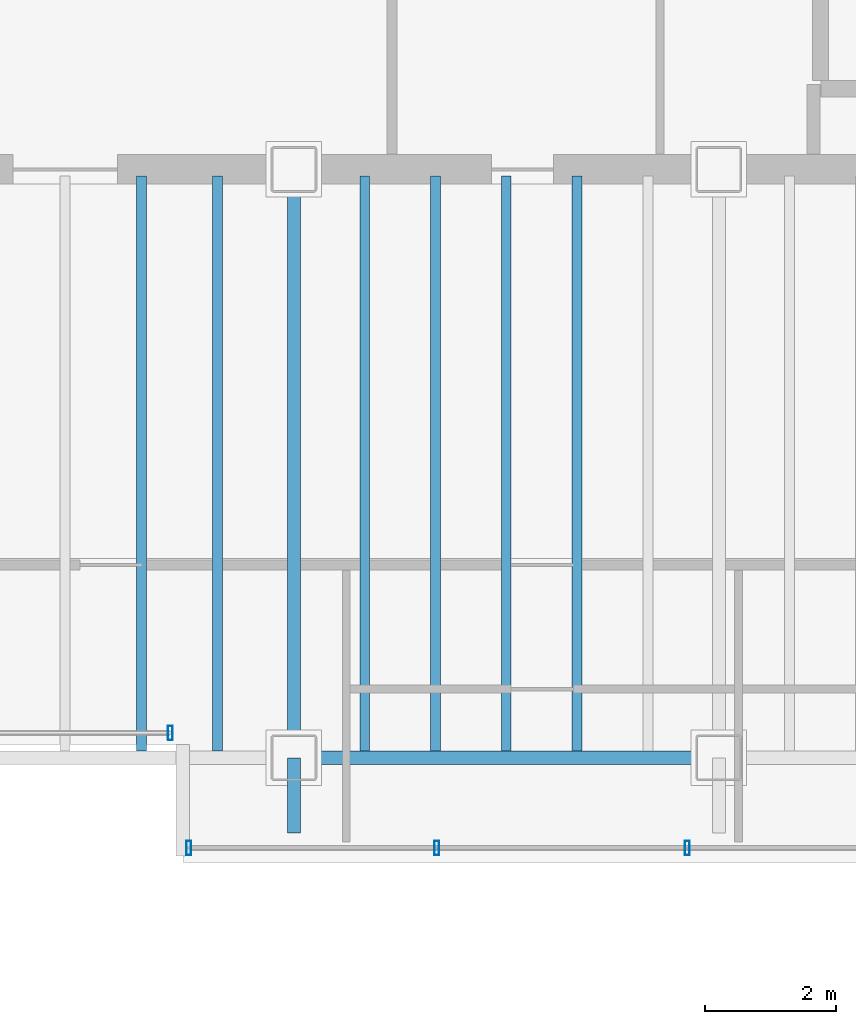
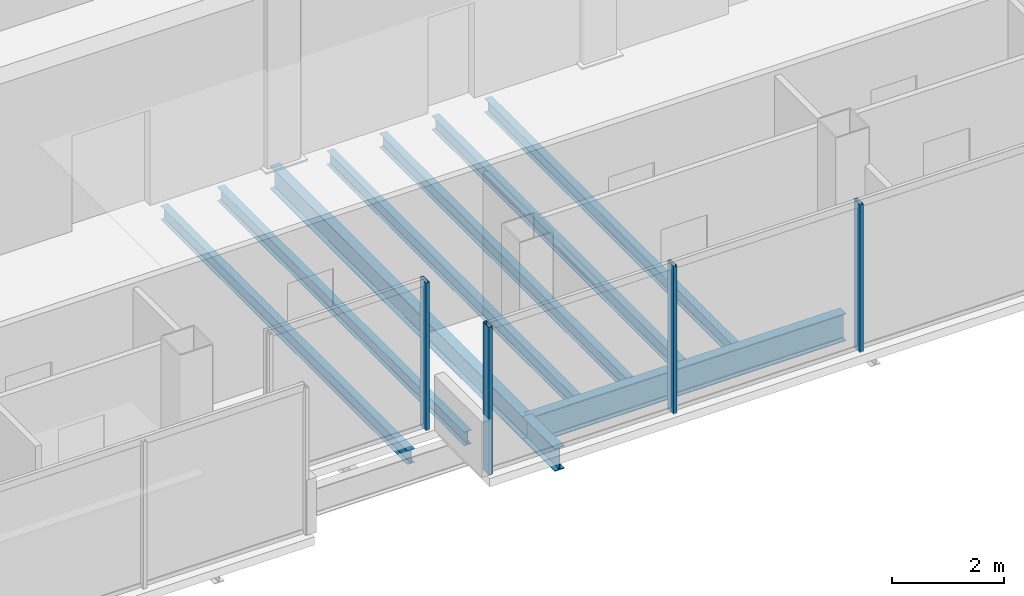
# One storey, part 6 of 17: 9 beams, 4 members, 2 elements without a shape of their own.
"""IFC4 building model written with IfcOpenShell, lengths in metres."""

from ifc_helpers import new_model, si_unit, direction, frame, origin, origin_2d, place, context, subcontext, project, spatial, hollow_rectangle, i_section, extrude, material, material_profile, profile_set, type_object, element, aggregate, save


model = new_model("IFC4")

# Units and contexts
model_context = context("Model", 3, precision=1e-05, world=origin(), true_north=direction((0.0, 1.0)))
body_context = subcontext(model_context, "Body", "Model", "MODEL_VIEW")
ifc_project = project(units=[si_unit("LENGTHUNIT", "METRE"), si_unit("AREAUNIT", "SQUARE_METRE"), si_unit("VOLUMEUNIT", "CUBIC_METRE"), si_unit("PLANEANGLEUNIT", "RADIAN"), si_unit("MASSUNIT", "GRAM", prefix="KILO")], contexts=[model_context])

# Site, building, storey
site_placement = place(None, origin())
site = spatial("IfcSite", under=ifc_project, at=site_placement, CompositionType="ELEMENT")
building_placement = place(site_placement, origin())
building = spatial("IfcBuilding", under=site, at=building_placement, Name="Noeulbin Bourse Tower", CompositionType="ELEMENT")
storey_placement = place(building_placement, frame((0.0, 0.0, 296.89990234375)))
storey = spatial("IfcBuildingStorey", under=building, at=storey_placement, Name="L74", CompositionType="ELEMENT", Elevation=296.89990234375)

# Beams
ifc_material_1 = material(Name="Steel S355", Category="steel")
ifc_material_profile_1 = material_profile(ifc_material_1, i_section(OverallWidth=0.199951171875, OverallDepth=0.5, WebThickness=0.010009765625, FlangeThickness=0.01611328125, FilletRadius=0.02001953125, at=origin_2d()), Name="H-500x200x10x16", Category="LoadBearing")
ifc_profile_set_1 = profile_set([ifc_material_profile_1], Name="Steel S355")
beam_type_1 = type_object("IfcBeamType", Name="BM-GRD-500", PredefinedType="USERDEFINED", material=ifc_profile_set_1)
beam_1_placement = place(storey_placement, frame((31.0, 18.85009765625, -0.429931640625), z_axis=(0.0, 1.0, 0.0), x_axis=(-1.0, 0.0, 0.0)))
element("IfcBeam", 1, at=beam_1_placement, inside=storey, type_object=beam_type_1, Name="Tower Primary Girder NS L74-3.1", ObjectType="GIRDER", PredefinedType="USERDEFINED", context=body_context, shape_type="SweptSolid", body=[
    extrude(i_section(OverallWidth=0.199951171875, OverallDepth=0.5, WebThickness=0.010009765625, FlangeThickness=0.01611328125, FilletRadius=0.02001953125, at=origin_2d()), origin(), (0.0, 0.0, 1.0), 1.14990234375),
])
beam_2_placement = place(storey_placement, frame((31.0, 20.0, -0.429931640625), z_axis=(0.0, 1.0, 0.0), x_axis=(-1.0, 0.0, 0.0)))
element("IfcBeam", 2, at=beam_2_placement, inside=storey, type_object=beam_type_1, Name="Tower Primary Girder NS L74-3.2", ObjectType="GIRDER", PredefinedType="USERDEFINED", context=body_context, shape_type="SweptSolid", body=[
    extrude(i_section(OverallWidth=0.199951171875, OverallDepth=0.5, WebThickness=0.010009765625, FlangeThickness=0.01611328125, FilletRadius=0.02001953125, at=origin_2d()), origin(), (0.0, 0.0, 1.0), 9.0),
])
ifc_material_profile_2 = material_profile(ifc_material_1, i_section(OverallWidth=0.199951171875, OverallDepth=0.60009765625, WebThickness=0.010986328125, FlangeThickness=0.01708984375, FilletRadius=0.02197265625, at=origin_2d()), Name="H-600x200x11x17", Category="LoadBearing")
ifc_profile_set_2 = profile_set([ifc_material_profile_2], Name="Steel S355")
beam_type_2 = type_object("IfcBeamType", Name="BM-GRD-600", PredefinedType="USERDEFINED", material=ifc_profile_set_2)
beam_3_placement = place(storey_placement, frame((31.0, 20.0, -0.47998046875), z_axis=(1.0, 0.0, 0.0), x_axis=(0.0, 1.0, 0.0)))
element("IfcBeam", 3, at=beam_3_placement, inside=storey, type_object=beam_type_2, Name="Tower Primary Girder EW L74-1.2", ObjectType="GIRDER", PredefinedType="USERDEFINED", context=body_context, shape_type="SweptSolid", body=[
    extrude(i_section(OverallWidth=0.199951171875, OverallDepth=0.60009765625, WebThickness=0.010986328125, FlangeThickness=0.01708984375, FilletRadius=0.02197265625, at=origin_2d()), origin(), (0.0, 0.0, 1.0), 6.5),
])
ifc_material_profile_3 = material_profile(ifc_material_1, i_section(OverallWidth=0.14990234375, OverallDepth=0.300048828125, WebThickness=0.006591796875, FlangeThickness=0.009033203125, FilletRadius=0.012939453125, at=origin_2d()), Name="H-300x150x6.5x9", Category="LoadBearing")
ifc_profile_set_3 = profile_set([ifc_material_profile_3], Name="Steel S355")
beam_type_3 = type_object("IfcBeamType", Name="BM-JST-300", PredefinedType="JOIST", material=ifc_profile_set_3)
for number, where, z_axis, x_axis, name in (
    (4, (28.666748046875, 20.10009765625, -0.329833984375), (0.0, 1.0, 0.0), (-1.0, 0.0, 0.0), "Tower Composite Joist L74-07"),
    (5, (29.833251953125, 20.10009765625, -0.329833984375), (0.0, 1.0, 0.0), (-1.0, 0.0, 0.0), "Tower Composite Joist L74-09"),
    (6, (32.083251953125, 20.10009765625, -0.329833984375), (0.0, 1.0, 0.0), (-1.0, 0.0, 0.0), "Tower Composite Joist L74-11"),
    (7, (33.166748046875, 20.10009765625, -0.329833984375), (0.0, 1.0, 0.0), (-1.0, 0.0, 0.0), "Tower Composite Joist L74-13"),
    (8, (34.25, 20.10009765625, -0.329833984375), (0.0, 1.0, 0.0), (-1.0, 0.0, 0.0), "Tower Composite Joist L74-15"),
    (9, (35.333251953125, 20.10009765625, -0.329833984375), (0.0, 1.0, 0.0), (-1.0, 0.0, 0.0), "Tower Composite Joist L74-17"),
):
    element("IfcBeam", number, at=place(storey_placement, frame(where, z_axis=z_axis, x_axis=x_axis)), inside=storey, type_object=beam_type_3, Name=name, PredefinedType="JOIST", context=body_context, shape_type="SweptSolid", body=[
        extrude(i_section(OverallWidth=0.14990234375, OverallDepth=0.300048828125, WebThickness=0.006591796875, FlangeThickness=0.009033203125, FilletRadius=0.012939453125, at=origin_2d()), origin(), (0.0, 0.0, 1.0), 8.7998046875),
    ])

# Curtain wall, member
ifc_material_2 = material(Name="High-Selectivity Low-Iron Glazing", Category="glass")
curtain_wall_type = type_object("IfcCurtainWallType", Name="CW-SYS-4", PredefinedType="NOTDEFINED", material=ifc_material_2)
curtain_wall_1_placement = place(storey_placement, origin())
curtain_wall_1 = element("IfcCurtainWall", 10, at=curtain_wall_1_placement, inside=storey, type_object=curtain_wall_type, Name="Unitised Curtain Wall CW-L74-SREC", PredefinedType="NOTDEFINED")
ifc_material_3 = material(Name="Anodised Aluminium 6063-T6", Category="aluminium")
ifc_material_profile_4 = material_profile(ifc_material_3, hollow_rectangle(XDim=0.074951171875, YDim=0.219970703125, WallThickness=0.0048828125, InnerFilletRadius=0.00244140625, OuterFilletRadius=0.0048828125, at=origin_2d()), Name="ALU-MULL-75x220x5", Category="LoadBearing")
ifc_profile_set_4 = profile_set([ifc_material_profile_4], Name="Anodised Aluminium 6063-T6")
member_type = type_object("IfcMemberType", Name="CW-SYS-4-MUL", PredefinedType="MULLION", material=ifc_profile_set_4)
member_1_placement = place(storey_placement, frame((29.110107421875, 20.3798828125, -0.02001953125), z_axis=(0.0, 0.0, 1.0), x_axis=(1.0, 0.0, 0.0)))
member_1 = element("IfcMember", 11, at=member_1_placement, type_object=member_type, Name="Curtain Wall Mullion CW-L74-SREC-M01", PredefinedType="MULLION", context=body_context, shape_type="SweptSolid", body=[
    extrude(hollow_rectangle(XDim=0.074951171875, YDim=0.219970703125, WallThickness=0.0048828125, InnerFilletRadius=0.00244140625, OuterFilletRadius=0.0048828125, at=origin_2d()), origin(), (0.0, 0.0, 1.0), 3.22021484375),
])
aggregate(curtain_wall_1, [member_1])

# Curtain wall, members
curtain_wall_2_placement = place(storey_placement, origin())
curtain_wall_2 = element("IfcCurtainWall", 12, at=curtain_wall_2_placement, inside=storey, type_object=curtain_wall_type, Name="Unitised Curtain Wall CW-L74-S2", PredefinedType="NOTDEFINED")
member_2_placement = place(storey_placement, frame((29.389892578125, 18.6201171875, -0.02001953125), z_axis=(0.0, 0.0, 1.0), x_axis=(1.0, 0.0, 0.0)))
member_2 = element("IfcMember", 13, at=member_2_placement, type_object=member_type, Name="Curtain Wall Mullion CW-L74-S2-M00", PredefinedType="MULLION", context=body_context, shape_type="SweptSolid", body=[
    extrude(hollow_rectangle(XDim=0.074951171875, YDim=0.219970703125, WallThickness=0.0048828125, InnerFilletRadius=0.00244140625, OuterFilletRadius=0.0048828125, at=origin_2d()), origin(), (0.0, 0.0, 1.0), 3.22021484375),
])
member_3_placement = place(storey_placement, frame((33.18408203125, 18.6201171875, -0.02001953125), z_axis=(0.0, 0.0, 1.0), x_axis=(1.0, 0.0, 0.0)))
member_3 = element("IfcMember", 14, at=member_3_placement, type_object=member_type, Name="Curtain Wall Mullion CW-L74-S2-M01", PredefinedType="MULLION", context=body_context, shape_type="SweptSolid", body=[
    extrude(hollow_rectangle(XDim=0.074951171875, YDim=0.219970703125, WallThickness=0.0048828125, InnerFilletRadius=0.00244140625, OuterFilletRadius=0.0048828125, at=origin_2d()), origin(), (0.0, 0.0, 1.0), 3.22021484375),
])
member_4_placement = place(storey_placement, frame((37.01806640625, 18.6201171875, -0.02001953125), z_axis=(0.0, 0.0, 1.0), x_axis=(1.0, 0.0, 0.0)))
member_4 = element("IfcMember", 15, at=member_4_placement, type_object=member_type, Name="Curtain Wall Mullion CW-L74-S2-M02", PredefinedType="MULLION", context=body_context, shape_type="SweptSolid", body=[
    extrude(hollow_rectangle(XDim=0.074951171875, YDim=0.219970703125, WallThickness=0.0048828125, InnerFilletRadius=0.00244140625, OuterFilletRadius=0.0048828125, at=origin_2d()), origin(), (0.0, 0.0, 1.0), 3.22021484375),
])
aggregate(curtain_wall_2, [member_2, member_3, member_4])

save(model, "model.ifc")
